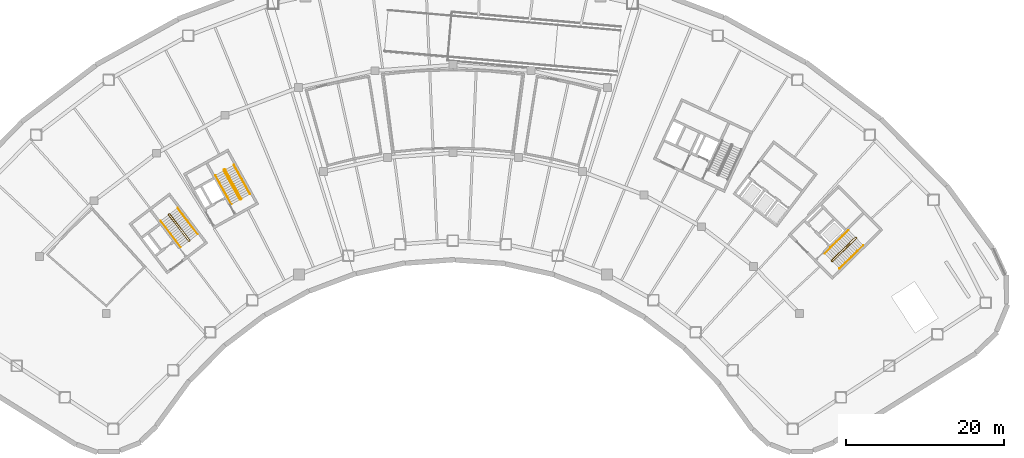
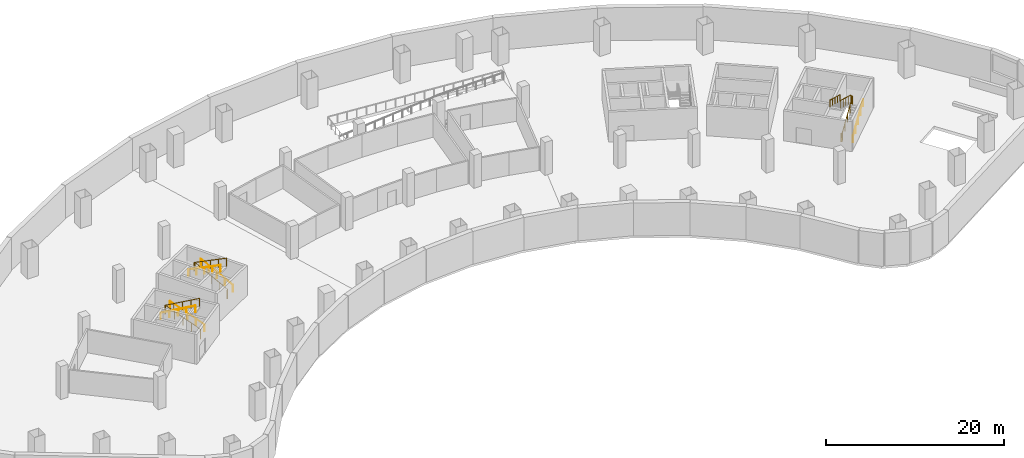
# One storey, part 9 of 11: 9 railings.
"""IFC4 building model written with IfcOpenShell, lengths in metres."""

from ifc_helpers import new_model, si_unit, direction, frame, origin, origin_2d, place, context, subcontext, project, spatial, circle, extrude, material, type_object, element, save


model = new_model("IFC4")

# Units and contexts
model_context = context("Model", 3, precision=1e-05, world=origin(), true_north=direction((0.0, 1.0)))
body_context = subcontext(model_context, "Body", "Model", "MODEL_VIEW")
ifc_project = project(units=[si_unit("LENGTHUNIT", "METRE"), si_unit("AREAUNIT", "SQUARE_METRE"), si_unit("VOLUMEUNIT", "CUBIC_METRE"), si_unit("PLANEANGLEUNIT", "RADIAN"), si_unit("MASSUNIT", "GRAM", prefix="KILO")], contexts=[model_context])

# Site, building, storey
site_placement = place(None, origin())
site = spatial("IfcSite", under=ifc_project, at=site_placement, CompositionType="ELEMENT")
building_placement = place(site_placement, origin())
building = spatial("IfcBuilding", under=site, at=building_placement, Name="Tuul Gate Civic Tower", CompositionType="ELEMENT")
storey_placement = place(building_placement, frame((0.0, 0.0, -4.5)))
storey = spatial("IfcBuildingStorey", under=building, at=storey_placement, Name="Basement 1", CompositionType="ELEMENT", Elevation=-4.5)

# Railings
ifc_material_1 = material(Name="Painted steel", Category="steel")
railing_type_1 = type_object("IfcRailingType", Name="Stair guard", PredefinedType="GUARDRAIL", material=ifc_material_1)
railing_1_placement = place(storey_placement, frame((-33.382080078125, -13.515380859375, 0.0)))
element("IfcRailing", 1, at=railing_1_placement, inside=storey, type_object=railing_type_1, Name="Basement 1 ST-1 stair guard 1", PredefinedType="GUARDRAIL", context=body_context, shape_type="SweptSolid", body=[
    extrude(circle(Radius=0.02392578125, at=origin_2d()), frame((0.0, 0.0, 1.076171875), z_axis=(-0.795879841968, -0.605454603706, 0.0), x_axis=(0.605454603706, -0.795879841968, 0.0)), (0.0, 0.0, 1.0), 0.10009765625),
    extrude(circle(Radius=0.02392578125, at=origin_2d()), frame((-0.07958984375, -0.060546875, 1.076171875), z_axis=(0.408991890351, 0.599481263939, 0.688002796371), x_axis=(-0.826063974707, 0.563576356576, 0.0)), (0.0, 0.0, 1.0), 0.2177734375),
    extrude(circle(Radius=0.02392578125, at=origin_2d()), frame((0.009521484375, 0.070068359375, 1.22607421875), z_axis=(-0.541816459728, 0.711624784981, 0.447241645387), x_axis=(-0.795633173153, -0.605778716842, 0.0)), (0.0, 0.0, 1.0), 4.695556640625),
    extrude(circle(Radius=0.02392578125, at=origin_2d()), frame((-2.53466796875, 3.41162109375, 3.326171875), z_axis=(-0.990893089246, 0.134650977284, 0.0), x_axis=(-0.134650977284, -0.990893089246, 0.0)), (0.0, 0.0, 1.0), 0.07080078125),
    extrude(circle(Radius=0.02392578125, at=origin_2d()), frame((-2.604736328125, 3.421142578125, 3.326171875), z_axis=(-0.795879841968, -0.605454603706, 0.0), x_axis=(0.605454603706, -0.795879841968, 0.0)), (0.0, 0.0, 1.0), 0.10009765625),
    extrude(circle(Radius=0.02392578125, at=origin_2d()), frame((-2.684326171875, 3.360595703125, 3.326171875), z_axis=(-0.057447065493, -0.422751481959, 0.904423031091), x_axis=(0.990893089246, -0.134650977284, 0.0)), (0.0, 0.0, 1.0), 0.165771484375),
    extrude(circle(Radius=0.02392578125, at=origin_2d()), frame((-2.69384765625, 3.29052734375, 3.47607421875), z_axis=(0.541816459728, -0.711624784981, 0.447241645387), x_axis=(0.795633173153, 0.605778716842, 0.0)), (0.0, 0.0, 1.0), 4.695556640625),
    extrude(circle(Radius=0.02099609375, at=origin_2d()), origin(), (0.0, 0.0, 1.0), 1.052001953125),
    extrude(circle(Radius=0.02099609375, at=origin_2d()), frame((-0.07958984375, -0.060546875, 0.0)), (0.0, 0.0, 1.0), 1.052001953125),
    extrude(circle(Radius=0.02099609375, at=origin_2d()), frame((0.009521484375, 0.070068359375, 0.14990234375)), (0.0, 0.0, 1.0), 1.052001953125),
    extrude(circle(Radius=0.02099609375, at=origin_2d()), frame((-0.62646484375, 0.905517578125, 0.6748046875)), (0.0, 0.0, 1.0), 1.052001953125),
    extrude(circle(Radius=0.02099609375, at=origin_2d()), frame((-1.2626953125, 1.74072265625, 1.199951171875)), (0.0, 0.0, 1.0), 1.052001953125),
    extrude(circle(Radius=0.02099609375, at=origin_2d()), frame((-1.898681640625, 2.576171875, 1.72509765625)), (0.0, 0.0, 1.0), 1.052001953125),
    extrude(circle(Radius=0.02099609375, at=origin_2d()), frame((-2.53466796875, 3.41162109375, 2.25)), (0.0, 0.0, 1.0), 1.052001953125),
    extrude(circle(Radius=0.02099609375, at=origin_2d()), frame((-2.604736328125, 3.421142578125, 2.25)), (0.0, 0.0, 1.0), 1.052001953125),
    extrude(circle(Radius=0.02099609375, at=origin_2d()), frame((-2.684326171875, 3.360595703125, 2.25)), (0.0, 0.0, 1.0), 1.052001953125),
    extrude(circle(Radius=0.02099609375, at=origin_2d()), frame((-2.69384765625, 3.29052734375, 2.39990234375)), (0.0, 0.0, 1.0), 1.052001953125),
    extrude(circle(Radius=0.02099609375, at=origin_2d()), frame((-2.057861328125, 2.455078125, 2.9248046875)), (0.0, 0.0, 1.0), 1.052001953125),
    extrude(circle(Radius=0.02099609375, at=origin_2d()), frame((-1.421875, 1.61962890625, 3.449951171875)), (0.0, 0.0, 1.0), 1.052001953125),
    extrude(circle(Radius=0.02099609375, at=origin_2d()), frame((-0.78564453125, 0.784423828125, 3.97509765625)), (0.0, 0.0, 1.0), 1.052001953125),
    extrude(circle(Radius=0.02099609375, at=origin_2d()), frame((-0.149658203125, -0.051025390625, 4.5)), (0.0, 0.0, 1.0), 1.052001953125),
])
railing_2_placement = place(storey_placement, frame((-26.857666015625, -8.247314453125, 0.0)))
element("IfcRailing", 2, at=railing_2_placement, inside=storey, type_object=railing_type_1, Name="Basement 1 ST-2 stair guard 1", PredefinedType="GUARDRAIL", context=body_context, shape_type="SweptSolid", body=[
    extrude(circle(Radius=0.02392578125, at=origin_2d()), frame((0.0, 0.0, 1.076171875), z_axis=(-0.874616555828, -0.48481530532, 0.0), x_axis=(0.48481530532, -0.874616555828, 0.0)), (0.0, 0.0, 1.0), 0.10009765625),
    extrude(circle(Radius=0.02392578125, at=origin_2d()), frame((-0.087646484375, -0.048583984375, 1.076171875), z_axis=(0.49081399482, 0.534516610797, 0.688036056665), x_axis=(-0.736576986774, 0.676353711126, 0.0)), (0.0, 0.0, 1.0), 0.2177734375),
    extrude(circle(Radius=0.02392578125, at=origin_2d()), frame((0.019287109375, 0.06787109375, 1.22607421875), z_axis=(-0.433555878789, 0.78231386355, 0.447229604191), x_axis=(-0.874661316952, -0.484734546558, 0.0)), (0.0, 0.0, 1.0), 4.69580078125),
    extrude(circle(Radius=0.02392578125, at=origin_2d()), frame((-2.0166015625, 3.741455078125, 3.326171875), z_axis=(-0.961000426733, 0.276546885391, 0.0), x_axis=(-0.276546885391, -0.961000426733, 0.0)), (0.0, 0.0, 1.0), 0.070556640625),
    extrude(circle(Radius=0.02392578125, at=origin_2d()), frame((-2.08447265625, 3.760986328125, 3.326171875), z_axis=(-0.874616555828, -0.48481530532, 0.0), x_axis=(0.48481530532, -0.874616555828, 0.0)), (0.0, 0.0, 1.0), 0.10009765625),
    extrude(circle(Radius=0.02392578125, at=origin_2d()), frame((-2.172119140625, 3.71240234375, 3.326171875), z_axis=(-0.117866478395, -0.409586012422, 0.90462522168), x_axis=(0.961000426733, -0.276546885391, 0.0)), (0.0, 0.0, 1.0), 0.165771484375),
    extrude(circle(Radius=0.02392578125, at=origin_2d()), frame((-2.191650390625, 3.64453125, 3.47607421875), z_axis=(0.433598095863, -0.78229622883, 0.447219522855), x_axis=(0.874636671229, 0.484779014956, 0.0)), (0.0, 0.0, 1.0), 4.69580078125),
    extrude(circle(Radius=0.02099609375, at=origin_2d()), origin(), (0.0, 0.0, 1.0), 1.052001953125),
    extrude(circle(Radius=0.02099609375, at=origin_2d()), frame((-0.087646484375, -0.048583984375, 0.0)), (0.0, 0.0, 1.0), 1.052001953125),
    extrude(circle(Radius=0.02099609375, at=origin_2d()), frame((0.019287109375, 0.06787109375, 0.14990234375)), (0.0, 0.0, 1.0), 1.052001953125),
    extrude(circle(Radius=0.02099609375, at=origin_2d()), frame((-0.48974609375, 0.986328125, 0.6748046875)), (0.0, 0.0, 1.0), 1.052001953125),
    extrude(circle(Radius=0.02099609375, at=origin_2d()), frame((-0.99853515625, 1.90478515625, 1.199951171875)), (0.0, 0.0, 1.0), 1.052001953125),
    extrude(circle(Radius=0.02099609375, at=origin_2d()), frame((-1.507568359375, 2.822998046875, 1.72509765625)), (0.0, 0.0, 1.0), 1.052001953125),
    extrude(circle(Radius=0.02099609375, at=origin_2d()), frame((-2.0166015625, 3.741455078125, 2.25)), (0.0, 0.0, 1.0), 1.052001953125),
    extrude(circle(Radius=0.02099609375, at=origin_2d()), frame((-2.08447265625, 3.760986328125, 2.25)), (0.0, 0.0, 1.0), 1.052001953125),
    extrude(circle(Radius=0.02099609375, at=origin_2d()), frame((-2.172119140625, 3.71240234375, 2.25)), (0.0, 0.0, 1.0), 1.052001953125),
    extrude(circle(Radius=0.02099609375, at=origin_2d()), frame((-2.191650390625, 3.64453125, 2.39990234375)), (0.0, 0.0, 1.0), 1.052001953125),
    extrude(circle(Radius=0.02099609375, at=origin_2d()), frame((-1.6826171875, 2.72607421875, 2.9248046875)), (0.0, 0.0, 1.0), 1.052001953125),
    extrude(circle(Radius=0.02099609375, at=origin_2d()), frame((-1.173583984375, 1.8076171875, 3.449951171875)), (0.0, 0.0, 1.0), 1.052001953125),
    extrude(circle(Radius=0.02099609375, at=origin_2d()), frame((-0.66455078125, 0.889404296875, 3.97509765625)), (0.0, 0.0, 1.0), 1.052001953125),
    extrude(circle(Radius=0.02099609375, at=origin_2d()), frame((-0.155517578125, -0.029052734375, 4.5)), (0.0, 0.0, 1.0), 1.052001953125),
])
railing_3_placement = place(storey_placement, frame((48.10546875, -16.134765625, 0.0)))
element("IfcRailing", 3, at=railing_3_placement, inside=storey, type_object=railing_type_1, Name="Basement 1 ST-3 stair guard 1", PredefinedType="GUARDRAIL", context=body_context, shape_type="SweptSolid", body=[
    extrude(circle(Radius=0.02392578125, at=origin_2d()), frame((0.0, 0.0, 1.076171875), z_axis=(-0.698506948293, 0.715603272202, 0.0), x_axis=(-0.715603272202, -0.698506948293, 0.0)), (0.0, 0.0, 1.0), 0.099853515625),
    extrude(circle(Radius=0.02392578125, at=origin_2d()), frame((-0.06982421875, 0.071533203125, 1.076171875), z_axis=(0.645446321009, -0.331687692741, 0.688027849131), x_axis=(0.457068866502, 0.889431307788, 0.0)), (0.0, 0.0, 1.0), 0.2177734375),
    extrude(circle(Radius=0.02392578125, at=origin_2d()), frame((0.07080078125, -0.000732421875, 1.22607421875), z_axis=(0.638710346515, 0.626128506559, 0.447227220246), x_axis=(-0.700038283577, 0.714105315431, 0.0)), (0.0, 0.0, 1.0), 4.69580078125),
    extrude(circle(Radius=0.02392578125, at=origin_2d()), frame((3.070068359375, 2.939453125, 3.326171875), z_axis=(0.010380063588, 0.999946125689, 0.0), x_axis=(-0.999946125689, 0.010380063588, 0.0)), (0.0, 0.0, 1.0), 0.070556640625),
    extrude(circle(Radius=0.02392578125, at=origin_2d()), frame((3.07080078125, 3.010009765625, 3.326171875), z_axis=(-0.699754442181, 0.714383454909, 0.0), x_axis=(-0.714383454909, -0.699754442181, 0.0)), (0.0, 0.0, 1.0), 0.10009765625),
    extrude(circle(Radius=0.02392578125, at=origin_2d()), frame((3.000732421875, 3.08154296875, 3.326171875), z_axis=(-0.425863839831, 0.004420731901, 0.904776462478), x_axis=(-0.010380063588, -0.999946125689, 0.0)), (0.0, 0.0, 1.0), 0.165771484375),
    extrude(circle(Radius=0.02392578125, at=origin_2d()), frame((2.93017578125, 3.082275390625, 3.47607421875), z_axis=(-0.63874112625, -0.626107714751, 0.447212369201), x_axis=(0.700009225839, -0.714133799606, 0.0)), (0.0, 0.0, 1.0), 4.696044921875),
    extrude(circle(Radius=0.02099609375, at=origin_2d()), origin(), (0.0, 0.0, 1.0), 1.052001953125),
    extrude(circle(Radius=0.02099609375, at=origin_2d()), frame((-0.06982421875, 0.071533203125, 0.0)), (0.0, 0.0, 1.0), 1.052001953125),
    extrude(circle(Radius=0.02099609375, at=origin_2d()), frame((0.07080078125, -0.000732421875, 0.14990234375)), (0.0, 0.0, 1.0), 1.052001953125),
    extrude(circle(Radius=0.02099609375, at=origin_2d()), frame((0.820556640625, 0.734375, 0.6748046875)), (0.0, 0.0, 1.0), 1.052001953125),
    extrude(circle(Radius=0.02099609375, at=origin_2d()), frame((1.5703125, 1.46923828125, 1.199951171875)), (0.0, 0.0, 1.0), 1.052001953125),
    extrude(circle(Radius=0.02099609375, at=origin_2d()), frame((2.3203125, 2.204345703125, 1.72509765625)), (0.0, 0.0, 1.0), 1.052001953125),
    extrude(circle(Radius=0.02099609375, at=origin_2d()), frame((3.070068359375, 2.939453125, 2.25)), (0.0, 0.0, 1.0), 1.052001953125),
    extrude(circle(Radius=0.02099609375, at=origin_2d()), frame((3.07080078125, 3.010009765625, 2.25)), (0.0, 0.0, 1.0), 1.052001953125),
    extrude(circle(Radius=0.02099609375, at=origin_2d()), frame((3.000732421875, 3.08154296875, 2.25)), (0.0, 0.0, 1.0), 1.052001953125),
    extrude(circle(Radius=0.02099609375, at=origin_2d()), frame((2.93017578125, 3.082275390625, 2.39990234375)), (0.0, 0.0, 1.0), 1.052001953125),
    extrude(circle(Radius=0.02099609375, at=origin_2d()), frame((2.18017578125, 2.34716796875, 2.9248046875)), (0.0, 0.0, 1.0), 1.052001953125),
    extrude(circle(Radius=0.02099609375, at=origin_2d()), frame((1.430419921875, 1.6123046875, 3.449951171875)), (0.0, 0.0, 1.0), 1.052001953125),
    extrude(circle(Radius=0.02099609375, at=origin_2d()), frame((0.6806640625, 0.877197265625, 3.97509765625)), (0.0, 0.0, 1.0), 1.052001953125),
    extrude(circle(Radius=0.02099609375, at=origin_2d()), frame((-0.0693359375, 0.14208984375, 4.5)), (0.0, 0.0, 1.0), 1.052001953125),
])
ifc_material_2 = material(Name="Painted steel", Category="steel")
railing_type_2 = type_object("IfcRailingType", Name="Stair handrail", PredefinedType="HANDRAIL", material=ifc_material_2)
railing_4_placement = place(storey_placement, frame((-32.3779296875, -12.688232421875, 0.14990234375)))
element("IfcRailing", 4, at=railing_4_placement, inside=storey, type_object=railing_type_2, Name="Basement 1 ST-1 stair handrail 1", PredefinedType="HANDRAIL", context=body_context, shape_type="SweptSolid", body=[
    extrude(circle(Radius=0.02392578125, at=origin_2d()), frame((0.0, 0.0, 0.8759765625), z_axis=(-0.541796413262, 0.711650446668, 0.447225098059), x_axis=(-0.795654503725, -0.605750700125, 0.0)), (0.0, 0.0, 1.0), 4.69580078125),
    extrude(circle(Radius=0.02099609375, at=origin_2d()), origin(), (0.0, 0.0, 1.0), 0.851806640625),
    extrude(circle(Radius=0.02099609375, at=origin_2d()), frame((-0.635986328125, 0.83544921875, 0.52490234375)), (0.0, 0.0, 1.0), 0.851806640625),
    extrude(circle(Radius=0.02099609375, at=origin_2d()), frame((-1.27197265625, 1.6708984375, 1.050048828125)), (0.0, 0.0, 1.0), 0.851806640625),
    extrude(circle(Radius=0.02099609375, at=origin_2d()), frame((-1.908203125, 2.50634765625, 1.5751953125)), (0.0, 0.0, 1.0), 0.851806640625),
    extrude(circle(Radius=0.02099609375, at=origin_2d()), frame((-2.544189453125, 3.341796875, 2.10009765625)), (0.0, 0.0, 1.0), 0.851806640625),
])
railing_5_placement = place(storey_placement, frame((-37.0703125, -10.98193359375, 2.39990234375)))
element("IfcRailing", 5, at=railing_5_placement, inside=storey, type_object=railing_type_2, Name="Basement 1 ST-1 stair handrail 2", PredefinedType="HANDRAIL", context=body_context, shape_type="SweptSolid", body=[
    extrude(circle(Radius=0.02392578125, at=origin_2d()), frame((0.0, 0.0, 0.8759765625), z_axis=(0.541796413262, -0.711650446668, 0.447225098059), x_axis=(0.795654503725, 0.605750700125, 0.0)), (0.0, 0.0, 1.0), 4.69580078125),
    extrude(circle(Radius=0.02099609375, at=origin_2d()), origin(), (0.0, 0.0, 1.0), 0.851806640625),
    extrude(circle(Radius=0.02099609375, at=origin_2d()), frame((0.635986328125, -0.83544921875, 0.52490234375)), (0.0, 0.0, 1.0), 0.851806640625),
    extrude(circle(Radius=0.02099609375, at=origin_2d()), frame((1.27197265625, -1.6708984375, 1.050048828125)), (0.0, 0.0, 1.0), 0.851806640625),
    extrude(circle(Radius=0.02099609375, at=origin_2d()), frame((1.908203125, -2.50634765625, 1.5751953125)), (0.0, 0.0, 1.0), 0.851806640625),
    extrude(circle(Radius=0.02099609375, at=origin_2d()), frame((2.544189453125, -3.341796875, 2.10009765625)), (0.0, 0.0, 1.0), 0.851806640625),
])
railing_6_placement = place(storey_placement, frame((-25.744873046875, -7.573486328125, 0.14990234375)))
element("IfcRailing", 6, at=railing_6_placement, inside=storey, type_object=railing_type_2, Name="Basement 1 ST-2 stair handrail 1", PredefinedType="HANDRAIL", context=body_context, shape_type="SweptSolid", body=[
    extrude(circle(Radius=0.02392578125, at=origin_2d()), frame((0.0, 0.0, 0.8759765625), z_axis=(-0.433598095863, 0.78229622883, 0.447219522855), x_axis=(-0.874636671229, -0.484779014956, 0.0)), (0.0, 0.0, 1.0), 4.69580078125),
    extrude(circle(Radius=0.02099609375, at=origin_2d()), origin(), (0.0, 0.0, 1.0), 0.851806640625),
    extrude(circle(Radius=0.02099609375, at=origin_2d()), frame((-0.509033203125, 0.91845703125, 0.52490234375)), (0.0, 0.0, 1.0), 0.851806640625),
    extrude(circle(Radius=0.02099609375, at=origin_2d()), frame((-1.01806640625, 1.8369140625, 1.050048828125)), (0.0, 0.0, 1.0), 0.851806640625),
    extrude(circle(Radius=0.02099609375, at=origin_2d()), frame((-1.527099609375, 2.755126953125, 1.5751953125)), (0.0, 0.0, 1.0), 0.851806640625),
    extrude(circle(Radius=0.02099609375, at=origin_2d()), frame((-2.0361328125, 3.673583984375, 2.10009765625)), (0.0, 0.0, 1.0), 0.851806640625),
])
railing_7_placement = place(storey_placement, frame((-30.142578125, -5.208740234375, 2.39990234375)))
element("IfcRailing", 7, at=railing_7_placement, inside=storey, type_object=railing_type_2, Name="Basement 1 ST-2 stair handrail 2", PredefinedType="HANDRAIL", context=body_context, shape_type="SweptSolid", body=[
    extrude(circle(Radius=0.02392578125, at=origin_2d()), frame((0.0, 0.0, 0.8759765625), z_axis=(0.433598095863, -0.78229622883, 0.447219522855), x_axis=(0.874636671229, 0.484779014956, 0.0)), (0.0, 0.0, 1.0), 4.69580078125),
    extrude(circle(Radius=0.02099609375, at=origin_2d()), origin(), (0.0, 0.0, 1.0), 0.851806640625),
    extrude(circle(Radius=0.02099609375, at=origin_2d()), frame((0.509033203125, -0.91845703125, 0.52490234375)), (0.0, 0.0, 1.0), 0.851806640625),
    extrude(circle(Radius=0.02099609375, at=origin_2d()), frame((1.01806640625, -1.8369140625, 1.050048828125)), (0.0, 0.0, 1.0), 0.851806640625),
    extrude(circle(Radius=0.02099609375, at=origin_2d()), frame((1.527099609375, -2.755126953125, 1.5751953125)), (0.0, 0.0, 1.0), 0.851806640625),
    extrude(circle(Radius=0.02099609375, at=origin_2d()), frame((2.0361328125, -3.673583984375, 2.10009765625)), (0.0, 0.0, 1.0), 0.851806640625),
])
railing_8_placement = place(storey_placement, frame((49.05126953125, -17.028076171875, 0.14990234375)))
element("IfcRailing", 8, at=railing_8_placement, inside=storey, type_object=railing_type_2, Name="Basement 1 ST-3 stair handrail 1", PredefinedType="HANDRAIL", context=body_context, shape_type="SweptSolid", body=[
    extrude(circle(Radius=0.02392578125, at=origin_2d()), frame((0.0, 0.0, 0.8759765625), z_axis=(0.638710346515, 0.626128506559, 0.447227220246), x_axis=(-0.700038283577, 0.714105315431, 0.0)), (0.0, 0.0, 1.0), 4.69580078125),
    extrude(circle(Radius=0.02099609375, at=origin_2d()), origin(), (0.0, 0.0, 1.0), 0.851806640625),
    extrude(circle(Radius=0.02099609375, at=origin_2d()), frame((0.749755859375, 0.735107421875, 0.52490234375)), (0.0, 0.0, 1.0), 0.851806640625),
    extrude(circle(Radius=0.02099609375, at=origin_2d()), frame((1.49951171875, 1.47021484375, 1.050048828125)), (0.0, 0.0, 1.0), 0.851806640625),
    extrude(circle(Radius=0.02099609375, at=origin_2d()), frame((2.24951171875, 2.205078125, 1.5751953125)), (0.0, 0.0, 1.0), 0.851806640625),
    extrude(circle(Radius=0.02099609375, at=origin_2d()), frame((2.999267578125, 2.940185546875, 2.10009765625)), (0.0, 0.0, 1.0), 0.851806640625),
])
railing_9_placement = place(storey_placement, frame((50.16064453125, -12.159912109375, 2.39990234375)))
element("IfcRailing", 9, at=railing_9_placement, inside=storey, type_object=railing_type_2, Name="Basement 1 ST-3 stair handrail 2", PredefinedType="HANDRAIL", context=body_context, shape_type="SweptSolid", body=[
    extrude(circle(Radius=0.02392578125, at=origin_2d()), frame((0.0, 0.0, 0.8759765625), z_axis=(-0.638761918021, -0.626076104249, 0.447226926487), x_axis=(0.699979580613, -0.714162857284, 0.0)), (0.0, 0.0, 1.0), 4.69580078125),
    extrude(circle(Radius=0.02099609375, at=origin_2d()), origin(), (0.0, 0.0, 1.0), 0.851806640625),
    extrude(circle(Radius=0.02099609375, at=origin_2d()), frame((-0.75, -0.73486328125, 0.52490234375)), (0.0, 0.0, 1.0), 0.851806640625),
    extrude(circle(Radius=0.02099609375, at=origin_2d()), frame((-1.499755859375, -1.469970703125, 1.050048828125)), (0.0, 0.0, 1.0), 0.851806640625),
    extrude(circle(Radius=0.02099609375, at=origin_2d()), frame((-2.24951171875, -2.205078125, 1.5751953125)), (0.0, 0.0, 1.0), 0.851806640625),
    extrude(circle(Radius=0.02099609375, at=origin_2d()), frame((-2.99951171875, -2.93994140625, 2.10009765625)), (0.0, 0.0, 1.0), 0.851806640625),
])

save(model, "model.ifc")
